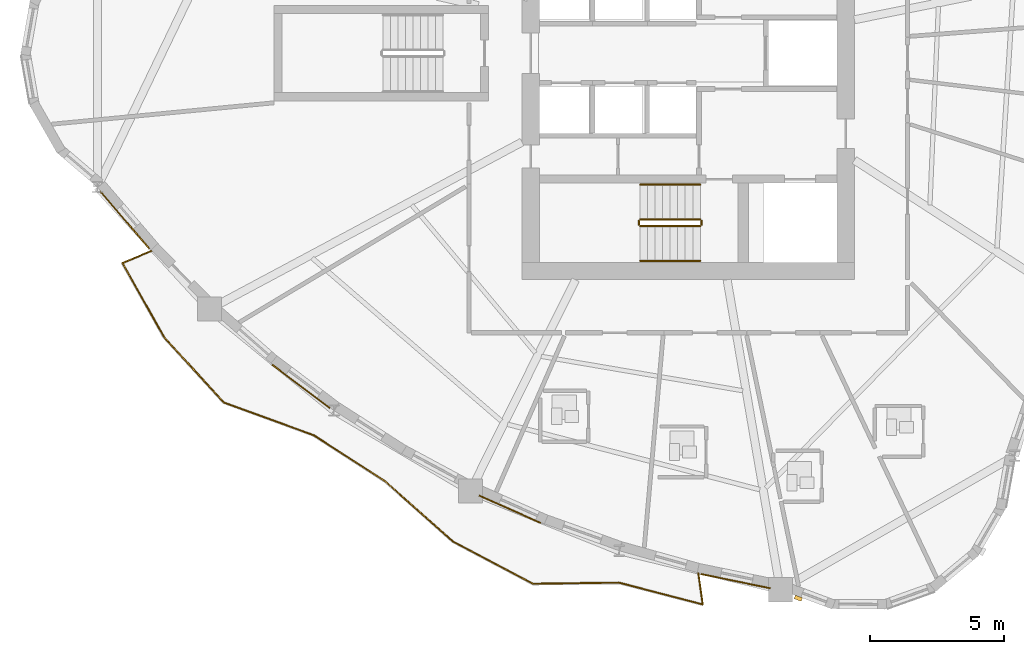
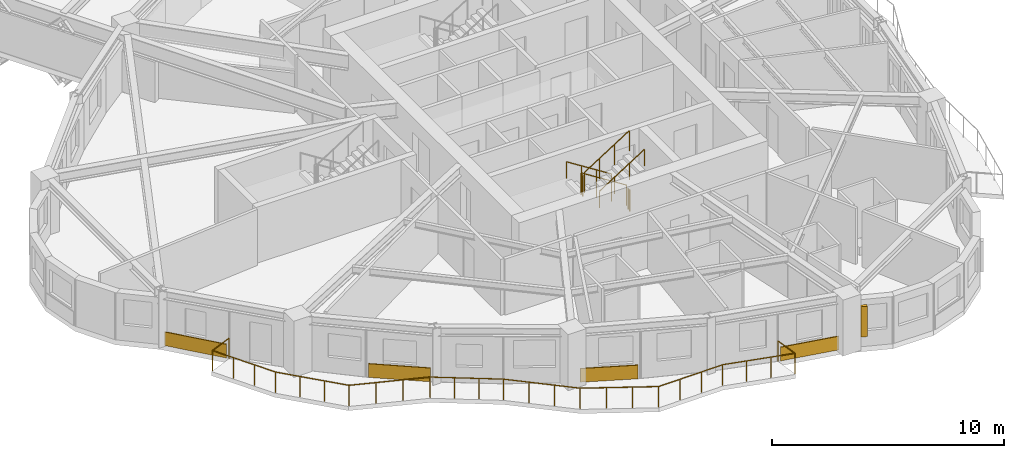
# One storey, part 11 of 14: 7 railings, 4 coverings, 1 shading device.
"""IFC4 building model written with IfcOpenShell, lengths in metres."""

from ifc_helpers import new_model, si_unit, direction, frame, origin, origin_2d, place, context, subcontext, project, spatial, rectangle, circle, extrude, source, transform, mapped, material, layer, layer_set, type_object, element, save


model = new_model("IFC4")

# Units and contexts
model_context = context("Model", 3, precision=1e-05, world=origin(), true_north=direction((0.0, 1.0)))
body_context = subcontext(model_context, "Body", "Model", "MODEL_VIEW")
ifc_project = project(units=[si_unit("LENGTHUNIT", "METRE"), si_unit("AREAUNIT", "SQUARE_METRE"), si_unit("VOLUMEUNIT", "CUBIC_METRE"), si_unit("PLANEANGLEUNIT", "RADIAN"), si_unit("MASSUNIT", "GRAM", prefix="KILO")], contexts=[model_context])

# Site, building, storey
site_placement = place(None, origin())
site = spatial("IfcSite", under=ifc_project, at=site_placement, CompositionType="ELEMENT")
building_placement = place(site_placement, origin())
building = spatial("IfcBuilding", under=site, at=building_placement, Name="Qafzar Sky-Pleat Residences", CompositionType="ELEMENT")
storey_placement = place(building_placement, frame((0.0, 0.0, 86.39990234375)))
storey = spatial("IfcBuildingStorey", under=building, at=storey_placement, Name="L25", CompositionType="ELEMENT", Elevation=86.39990234375)

# Shading device
ifc_material_1 = material(Name="Honed Riyadh limestone solar fin", Category="masonry")
ifc_layer_1 = layer(ifc_material_1, 0.139892578125)
ifc_layer_set_1 = layer_set([ifc_layer_1], Name="Honed Riyadh limestone solar fin")
shading_device_type = type_object("IfcShadingDeviceType", Name="SHD-FIN-STONE", PredefinedType="SHUTTER", material=ifc_layer_set_1)
shared_shape_1 = source(origin(), body_context, "Body", "SweptSolid", [
    extrude(rectangle(XDim=0.139892578125, YDim=0.280029296875, at=origin_2d()), origin(), (0.0, 0.0, 1.0), 1.60009765625),
])
shading_device_placement = place(storey_placement, frame((34.455810546875, 5.665283203125, 0.60009765625), z_axis=(0.0, 0.0, 1.0), x_axis=(-0.349823000797, -0.936815813334, 0.0)))
element("IfcShadingDevice", 1, at=shading_device_placement, inside=storey, type_object=shading_device_type, Name="L25 Limestone Solar Fin 17", PredefinedType="SHUTTER", context=body_context, shape_type="MappedRepresentation", body=[
    mapped(shared_shape_1, transform((0.0, 0.0, 0.0), x_axis=(1.0, 0.0, 0.0), y_axis=(0.0, 1.0, 0.0), z_axis=(0.0, 0.0, 1.0), scale=1.0)),
])

# Railing
ifc_material_2 = material(Name="Laminated glass and bronze steel balustrade", Category="steel")
railing_type_1 = type_object("IfcRailingType", Name="RAIL-BAL-1100", PredefinedType="BALUSTRADE", material=ifc_material_2)
shared_shape_2 = source(origin(), body_context, "Body", "SweptSolid", [
    extrude(circle(Radius=0.02392578125, at=origin_2d()), frame((0.0, 0.0, 1.076171875), z_axis=(-0.922855988527, -0.385145199165, 0.0), x_axis=(0.385145199165, -0.922855988527, 0.0)), (0.0, 0.0, 1.0), 1.177734375),
    extrude(circle(Radius=0.02392578125, at=origin_2d()), frame((-1.0869140625, -0.45361328125, 1.076171875), z_axis=(0.489456684431, -0.872027610839, 0.0), x_axis=(0.872027610839, 0.489456684431, 0.0)), (0.0, 0.0, 1.0), 3.17041015625),
    extrude(circle(Radius=0.02392578125, at=origin_2d()), frame((0.46484375, -3.21826171875, 1.076171875), z_axis=(0.675260283354, -0.73757952095, 0.0), x_axis=(0.73757952095, 0.675260283354, 0.0)), (0.0, 0.0, 1.0), 3.310302734375),
    extrude(circle(Radius=0.02392578125, at=origin_2d()), frame((2.7001953125, -5.659912109375, 1.076171875), z_axis=(0.939887504357, -0.341484229728, 0.0), x_axis=(0.341484229728, 0.939887504357, 0.0)), (0.0, 0.0, 1.0), 3.5595703125),
    extrude(circle(Radius=0.02392578125, at=origin_2d()), frame((6.0458984375, -6.87548828125, 1.076171875), z_axis=(0.840624110411, -0.541618966614, 0.0), x_axis=(0.541618966614, 0.840624110411, 0.0)), (0.0, 0.0, 1.0), 3.164794921875),
    extrude(circle(Radius=0.02392578125, at=origin_2d()), frame((8.706298828125, -8.589599609375, 1.076171875), z_axis=(0.747353471395, -0.664426661712, 0.0), x_axis=(0.664426661712, 0.747353471395, 0.0)), (0.0, 0.0, 1.0), 3.376708984375),
    extrude(circle(Radius=0.02392578125, at=origin_2d()), frame((11.22998046875, -10.833251953125, 1.076171875), z_axis=(0.883677346715, -0.468096514517, 0.0), x_axis=(0.468096514517, 0.883677346715, 0.0)), (0.0, 0.0, 1.0), 3.384521484375),
    extrude(circle(Radius=0.02392578125, at=origin_2d()), frame((14.220703125, -12.41748046875, 1.076171875), z_axis=(0.99991742699, 0.012850649822, 0.0), x_axis=(-0.012850649822, 0.99991742699, 0.0)), (0.0, 0.0, 1.0), 3.210693359375),
    extrude(circle(Radius=0.02392578125, at=origin_2d()), frame((17.43115234375, -12.376220703125, 1.076171875), z_axis=(0.967842378985, -0.251557407842, 0.0), x_axis=(0.251557407842, 0.967842378985, 0.0)), (0.0, 0.0, 1.0), 3.23095703125),
    extrude(circle(Radius=0.02392578125, at=origin_2d()), frame((20.55810546875, -13.18896484375, 1.076171875), z_axis=(-0.13927388454, 0.990253899303, 0.0), x_axis=(-0.990253899303, -0.13927388454, 0.0)), (0.0, 0.0, 1.0), 1.177978515625),
    extrude(circle(Radius=0.02099609375, at=origin_2d()), origin(), (0.0, 0.0, 1.0), 1.052001953125),
    extrude(circle(Radius=0.02099609375, at=origin_2d()), frame((-1.0869140625, -0.45361328125, 0.0)), (0.0, 0.0, 1.0), 1.052001953125),
    extrude(circle(Radius=0.02099609375, at=origin_2d()), frame((-0.569580078125, -1.375244140625, 0.0)), (0.0, 0.0, 1.0), 1.052001953125),
    extrude(circle(Radius=0.02099609375, at=origin_2d()), frame((-0.052490234375, -2.296630859375, 0.0)), (0.0, 0.0, 1.0), 1.052001953125),
    extrude(circle(Radius=0.02099609375, at=origin_2d()), frame((0.46484375, -3.21826171875, 0.0)), (0.0, 0.0, 1.0), 1.052001953125),
    extrude(circle(Radius=0.02099609375, at=origin_2d()), frame((1.2099609375, -4.0322265625, 0.0)), (0.0, 0.0, 1.0), 1.052001953125),
    extrude(circle(Radius=0.02099609375, at=origin_2d()), frame((1.955078125, -4.845947265625, 0.0)), (0.0, 0.0, 1.0), 1.052001953125),
    extrude(circle(Radius=0.02099609375, at=origin_2d()), frame((2.7001953125, -5.659912109375, 0.0)), (0.0, 0.0, 1.0), 1.052001953125),
    extrude(circle(Radius=0.02099609375, at=origin_2d()), frame((3.8154296875, -6.065185546875, 0.0)), (0.0, 0.0, 1.0), 1.052001953125),
    extrude(circle(Radius=0.02099609375, at=origin_2d()), frame((4.9306640625, -6.47021484375, 0.0)), (0.0, 0.0, 1.0), 1.052001953125),
    extrude(circle(Radius=0.02099609375, at=origin_2d()), frame((6.0458984375, -6.87548828125, 0.0)), (0.0, 0.0, 1.0), 1.052001953125),
    extrude(circle(Radius=0.02099609375, at=origin_2d()), frame((6.9326171875, -7.44677734375, 0.0)), (0.0, 0.0, 1.0), 1.052001953125),
    extrude(circle(Radius=0.02099609375, at=origin_2d()), frame((7.819580078125, -8.018310546875, 0.0)), (0.0, 0.0, 1.0), 1.052001953125),
    extrude(circle(Radius=0.02099609375, at=origin_2d()), frame((8.706298828125, -8.589599609375, 0.0)), (0.0, 0.0, 1.0), 1.052001953125),
    extrude(circle(Radius=0.02099609375, at=origin_2d()), frame((9.547607421875, -9.33740234375, 0.0)), (0.0, 0.0, 1.0), 1.052001953125),
    extrude(circle(Radius=0.02099609375, at=origin_2d()), frame((10.388671875, -10.08544921875, 0.0)), (0.0, 0.0, 1.0), 1.052001953125),
    extrude(circle(Radius=0.02099609375, at=origin_2d()), frame((11.22998046875, -10.833251953125, 0.0)), (0.0, 0.0, 1.0), 1.052001953125),
    extrude(circle(Radius=0.02099609375, at=origin_2d()), frame((12.226806640625, -11.361328125, 0.0)), (0.0, 0.0, 1.0), 1.052001953125),
    extrude(circle(Radius=0.02099609375, at=origin_2d()), frame((13.223876953125, -11.889404296875, 0.0)), (0.0, 0.0, 1.0), 1.052001953125),
    extrude(circle(Radius=0.02099609375, at=origin_2d()), frame((14.220703125, -12.41748046875, 0.0)), (0.0, 0.0, 1.0), 1.052001953125),
    extrude(circle(Radius=0.02099609375, at=origin_2d()), frame((15.290771484375, -12.40380859375, 0.0)), (0.0, 0.0, 1.0), 1.052001953125),
    extrude(circle(Radius=0.02099609375, at=origin_2d()), frame((16.361083984375, -12.389892578125, 0.0)), (0.0, 0.0, 1.0), 1.052001953125),
    extrude(circle(Radius=0.02099609375, at=origin_2d()), frame((17.43115234375, -12.376220703125, 0.0)), (0.0, 0.0, 1.0), 1.052001953125),
    extrude(circle(Radius=0.02099609375, at=origin_2d()), frame((18.473388671875, -12.647216796875, 0.0)), (0.0, 0.0, 1.0), 1.052001953125),
    extrude(circle(Radius=0.02099609375, at=origin_2d()), frame((19.515869140625, -12.91796875, 0.0)), (0.0, 0.0, 1.0), 1.052001953125),
    extrude(circle(Radius=0.02099609375, at=origin_2d()), frame((20.55810546875, -13.18896484375, 0.0)), (0.0, 0.0, 1.0), 1.052001953125),
    extrude(circle(Radius=0.02099609375, at=origin_2d()), frame((20.39404296875, -12.0224609375, 0.0)), (0.0, 0.0, 1.0), 1.052001953125),
])
railing_1_placement = place(storey_placement, frame((10.333251953125, 18.625732421875, 0.0)))
element("IfcRailing", 2, at=railing_1_placement, inside=storey, type_object=railing_type_1, Name="L25 Pleated Balcony 2 Balustrade", PredefinedType="BALUSTRADE", context=body_context, shape_type="MappedRepresentation", body=[
    mapped(shared_shape_2, transform((0.0, 0.0, 0.0), x_axis=(1.0, 0.0, 0.0), y_axis=(0.0, 1.0, 0.0), z_axis=(0.0, 0.0, 1.0), scale=1.0)),
])

# Coverings
ifc_material_3 = material(Name="Honed Riyadh Tuwaiq limestone cladding", Category="masonry")
ifc_layer_2 = layer(ifc_material_3, 0.044921875)
ifc_layer_set_2 = layer_set([ifc_layer_2], Name="Honed Riyadh Tuwaiq limestone cladding")
covering_type = type_object("IfcCoveringType", Name="COV-CLAD-STONE", PredefinedType="CLADDING", material=ifc_layer_set_2)
shared_shape_3 = source(origin(), body_context, "Body", "SweptSolid", [
    extrude(rectangle(XDim=2.8291015625, YDim=0.044921875, at=origin_2d()), origin(), (0.0, 0.0, 1.0), 0.719970703125),
])
covering_1_placement = place(storey_placement, frame((9.32958984375, 19.78076171875, 0.02001953125), z_axis=(0.0, 0.0, 1.0), x_axis=(0.650752076981, -0.759290283294, 0.0)))
element("IfcCovering", 3, at=covering_1_placement, inside=storey, type_object=covering_type, Name="L25 Riyadh Limestone Spandrel Cladding 7", PredefinedType="CLADDING", context=body_context, shape_type="MappedRepresentation", body=[
    mapped(shared_shape_3, transform((0.0, 0.0, 0.0), x_axis=(1.0, 0.0, 0.0), y_axis=(0.0, 1.0, 0.0), z_axis=(0.0, 0.0, 1.0), scale=1.0)),
])
shared_shape_4 = source(origin(), body_context, "Body", "SweptSolid", [
    extrude(rectangle(XDim=2.695068359375, YDim=0.044921875, at=origin_2d()), origin(), (0.0, 0.0, 1.0), 0.719970703125),
])
covering_2_placement = place(storey_placement, frame((15.90673828125, 13.568603515625, 0.02001953125), z_axis=(0.0, 0.0, 1.0), x_axis=(0.798378158073, -0.602156388916, 0.0)))
element("IfcCovering", 4, at=covering_2_placement, inside=storey, type_object=covering_type, Name="L25 Riyadh Limestone Spandrel Cladding 10", PredefinedType="CLADDING", context=body_context, shape_type="MappedRepresentation", body=[
    mapped(shared_shape_4, transform((0.0, 0.0, 0.0), x_axis=(1.0, 0.0, 0.0), y_axis=(0.0, 1.0, 0.0), z_axis=(0.0, 0.0, 1.0), scale=1.0)),
])
shared_shape_5 = source(origin(), body_context, "Body", "SweptSolid", [
    extrude(rectangle(XDim=2.510498046875, YDim=0.044921875, at=origin_2d()), origin(), (0.0, 0.0, 1.0), 0.719970703125),
])
covering_3_placement = place(storey_placement, frame((23.697265625, 8.989501953125, 0.02001953125), z_axis=(0.0, 0.0, 1.0), x_axis=(0.913437161695, -0.406979792661, 0.0)))
element("IfcCovering", 5, at=covering_3_placement, inside=storey, type_object=covering_type, Name="L25 Riyadh Limestone Spandrel Cladding 13", PredefinedType="CLADDING", context=body_context, shape_type="MappedRepresentation", body=[
    mapped(shared_shape_5, transform((0.0, 0.0, 0.0), x_axis=(1.0, 0.0, 0.0), y_axis=(0.0, 1.0, 0.0), z_axis=(0.0, 0.0, 1.0), scale=1.0)),
])
shared_shape_6 = source(origin(), body_context, "Body", "SweptSolid", [
    extrude(rectangle(XDim=2.644775390625, YDim=0.044921875, at=origin_2d()), origin(), (0.0, 0.0, 1.0), 0.719970703125),
])
covering_4_placement = place(storey_placement, frame((32.123046875, 6.304931640625, 0.02001953125), z_axis=(0.0, 0.0, 1.0), x_axis=(0.979433511732, -0.201767182901, 0.0)))
element("IfcCovering", 6, at=covering_4_placement, inside=storey, type_object=covering_type, Name="L25 Riyadh Limestone Spandrel Cladding 16", PredefinedType="CLADDING", context=body_context, shape_type="MappedRepresentation", body=[
    mapped(shared_shape_6, transform((0.0, 0.0, 0.0), x_axis=(1.0, 0.0, 0.0), y_axis=(0.0, 1.0, 0.0), z_axis=(0.0, 0.0, 1.0), scale=1.0)),
])

# Railings
ifc_material_4 = material(Name="Painted Steel S355 stair guardrail", Category="steel")
railing_type_2 = type_object("IfcRailingType", Name="RAIL-STAIR-GUARD", PredefinedType="GUARDRAIL", material=ifc_material_4)
shared_shape_7 = source(origin(), body_context, "Body", "SweptSolid", [
    extrude(circle(Radius=0.02392578125, at=origin_2d()), frame((0.0, 0.0, 1.076171875), z_axis=(0.0, -1.0, 0.0), x_axis=(1.0, 0.0, 0.0)), (0.0, 0.0, 1.0), 0.14990234375),
    extrude(circle(Radius=0.02099609375, at=origin_2d()), origin(), (0.0, 0.0, 1.0), 1.052001953125),
    extrude(circle(Radius=0.02099609375, at=origin_2d()), frame((0.0, -0.14990234375, 0.0)), (0.0, 0.0, 1.0), 1.052001953125),
])
for number, where, name in (
    (7, (28.510009765625, 19.75, 1.60009765625), "L25 ST1 stair guard 2"),
    (8, (30.85009765625, 19.75, 0.0), "L25 ST1 stair guard 4"),
):
    element("IfcRailing", number, at=place(storey_placement, frame(where)), inside=storey, type_object=railing_type_2, Name=name, PredefinedType="GUARDRAIL", context=body_context, shape_type="MappedRepresentation", body=[
        mapped(shared_shape_7, transform((0.0, 0.0, 0.0), x_axis=(1.0, 0.0, 0.0), y_axis=(0.0, 1.0, 0.0), z_axis=(0.0, 0.0, 1.0), scale=1.0)),
    ])
shared_shape_8 = source(origin(), body_context, "Body", "SweptSolid", [
    extrude(circle(Radius=0.02392578125, at=origin_2d()), frame((0.0, 0.0, 1.076171875), z_axis=(-0.8442293374, 0.0, 0.53598211339), x_axis=(0.0, -1.0, 0.0)), (0.0, 0.0, 1.0), 2.6533203125),
    extrude(circle(Radius=0.02099609375, at=origin_2d()), origin(), (0.0, 0.0, 1.0), 1.052001953125),
    extrude(circle(Radius=0.02099609375, at=origin_2d()), frame((-0.74658203125, 0.0, 0.47412109375)), (0.0, 0.0, 1.0), 1.052001953125),
    extrude(circle(Radius=0.02099609375, at=origin_2d()), frame((-1.493408203125, 0.0, 0.947998046875)), (0.0, 0.0, 1.0), 1.052001953125),
    extrude(circle(Radius=0.02099609375, at=origin_2d()), frame((-2.239990234375, 0.0, 1.422119140625)), (0.0, 0.0, 1.0), 1.052001953125),
])
railing_2_placement = place(storey_placement, frame((30.800048828125, 19.800048828125, 0.177978515625)))
element("IfcRailing", 9, at=railing_2_placement, inside=storey, type_object=railing_type_2, Name="L25 ST1 stair guard 1", PredefinedType="GUARDRAIL", context=body_context, shape_type="MappedRepresentation", body=[
    mapped(shared_shape_8, transform((0.0, 0.0, 0.0), x_axis=(1.0, 0.0, 0.0), y_axis=(0.0, 1.0, 0.0), z_axis=(0.0, 0.0, 1.0), scale=1.0)),
])
ifc_material_5 = material(Name="Brushed stainless steel handrail", Category="steel")
railing_type_3 = type_object("IfcRailingType", Name="RAIL-STAIR-HAND", PredefinedType="HANDRAIL", material=ifc_material_5)
shared_shape_9 = source(origin(), body_context, "Body", "SweptSolid", [
    extrude(circle(Radius=0.02392578125, at=origin_2d()), frame((0.0, 0.0, 0.8759765625), z_axis=(-0.8442293374, 0.0, 0.53598211339), x_axis=(0.0, -1.0, 0.0)), (0.0, 0.0, 1.0), 2.6533203125),
    extrude(circle(Radius=0.02099609375, at=origin_2d()), origin(), (0.0, 0.0, 1.0), 0.851806640625),
    extrude(circle(Radius=0.02099609375, at=origin_2d()), frame((-0.74658203125, 0.0, 0.47412109375)), (0.0, 0.0, 1.0), 0.851806640625),
    extrude(circle(Radius=0.02099609375, at=origin_2d()), frame((-1.493408203125, 0.0, 0.947998046875)), (0.0, 0.0, 1.0), 0.851806640625),
    extrude(circle(Radius=0.02099609375, at=origin_2d()), frame((-2.239990234375, 0.0, 1.422119140625)), (0.0, 0.0, 1.0), 0.851806640625),
])
railing_3_placement = place(storey_placement, frame((30.800048828125, 21.10009765625, 0.177978515625)))
element("IfcRailing", 10, at=railing_3_placement, inside=storey, type_object=railing_type_3, Name="L25 ST1 stair handrail 1", PredefinedType="HANDRAIL", context=body_context, shape_type="MappedRepresentation", body=[
    mapped(shared_shape_9, transform((0.0, 0.0, 0.0), x_axis=(1.0, 0.0, 0.0), y_axis=(0.0, 1.0, 0.0), z_axis=(0.0, 0.0, 1.0), scale=1.0)),
])
shared_shape_10 = source(origin(), body_context, "Body", "SweptSolid", [
    extrude(circle(Radius=0.02392578125, at=origin_2d()), frame((0.0, 0.0, 1.076171875), z_axis=(0.84418770128, 0.0, 0.536047689118), x_axis=(0.0, 1.0, 0.0)), (0.0, 0.0, 1.0), 2.6533203125),
    extrude(circle(Radius=0.02099609375, at=origin_2d()), origin(), (0.0, 0.0, 1.0), 1.052001953125),
    extrude(circle(Radius=0.02099609375, at=origin_2d()), frame((0.74658203125, 0.0, 0.47412109375)), (0.0, 0.0, 1.0), 1.052001953125),
    extrude(circle(Radius=0.02099609375, at=origin_2d()), frame((1.493408203125, 0.0, 0.9482421875)), (0.0, 0.0, 1.0), 1.052001953125),
    extrude(circle(Radius=0.02099609375, at=origin_2d()), frame((2.239990234375, 0.0, 1.42236328125)), (0.0, 0.0, 1.0), 1.052001953125),
])
railing_4_placement = place(storey_placement, frame((28.56005859375, 19.550048828125, 1.77783203125)))
element("IfcRailing", 11, at=railing_4_placement, inside=storey, type_object=railing_type_2, Name="L25 ST1 stair guard 3", PredefinedType="GUARDRAIL", context=body_context, shape_type="MappedRepresentation", body=[
    mapped(shared_shape_10, transform((0.0, 0.0, 0.0), x_axis=(1.0, 0.0, 0.0), y_axis=(0.0, 1.0, 0.0), z_axis=(0.0, 0.0, 1.0), scale=1.0)),
])
shared_shape_11 = source(origin(), body_context, "Body", "SweptSolid", [
    extrude(circle(Radius=0.02392578125, at=origin_2d()), frame((0.0, 0.0, 0.8759765625), z_axis=(0.84418770128, 0.0, 0.536047689118), x_axis=(0.0, 1.0, 0.0)), (0.0, 0.0, 1.0), 2.6533203125),
    extrude(circle(Radius=0.02099609375, at=origin_2d()), origin(), (0.0, 0.0, 1.0), 0.851806640625),
    extrude(circle(Radius=0.02099609375, at=origin_2d()), frame((0.74658203125, 0.0, 0.47412109375)), (0.0, 0.0, 1.0), 0.851806640625),
    extrude(circle(Radius=0.02099609375, at=origin_2d()), frame((1.493408203125, 0.0, 0.9482421875)), (0.0, 0.0, 1.0), 0.851806640625),
    extrude(circle(Radius=0.02099609375, at=origin_2d()), frame((2.239990234375, 0.0, 1.42236328125)), (0.0, 0.0, 1.0), 0.851806640625),
])
railing_5_placement = place(storey_placement, frame((28.56005859375, 18.25, 1.77783203125)))
element("IfcRailing", 12, at=railing_5_placement, inside=storey, type_object=railing_type_3, Name="L25 ST1 stair handrail 2", PredefinedType="HANDRAIL", context=body_context, shape_type="MappedRepresentation", body=[
    mapped(shared_shape_11, transform((0.0, 0.0, 0.0), x_axis=(1.0, 0.0, 0.0), y_axis=(0.0, 1.0, 0.0), z_axis=(0.0, 0.0, 1.0), scale=1.0)),
])

save(model, "model.ifc")
